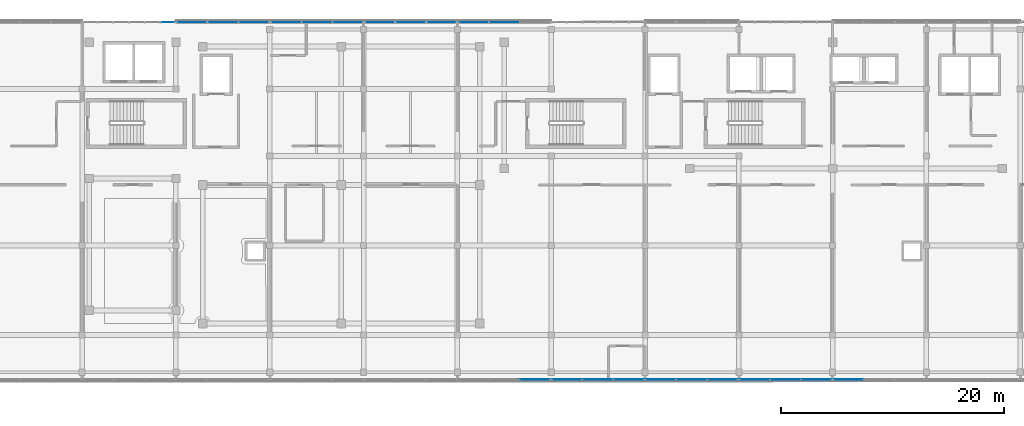
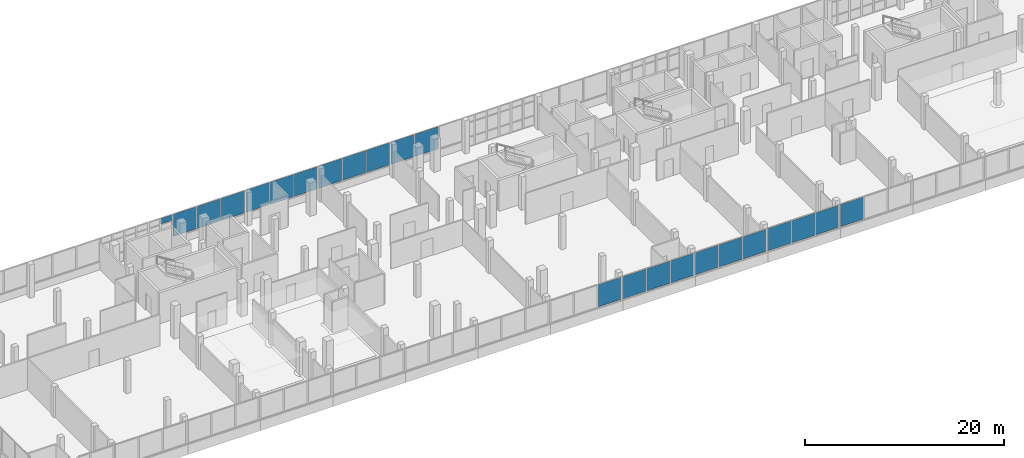
# One storey, part 51 of 66: 23 plates, 10 elements without a shape of their own.
"""IFC4 building model written with IfcOpenShell, lengths in metres."""

from ifc_helpers import new_model, si_unit, direction, frame, origin, origin_2d, place, context, subcontext, project, spatial, rectangle, extrude, material, layer, layer_set, type_object, element, aggregate, save


model = new_model("IFC4")

# Units and contexts
model_context = context("Model", 3, precision=1e-05, world=origin(), true_north=direction((0.0, 1.0)))
body_context = subcontext(model_context, "Body", "Model", "MODEL_VIEW")
ifc_project = project(units=[si_unit("LENGTHUNIT", "METRE"), si_unit("AREAUNIT", "SQUARE_METRE"), si_unit("VOLUMEUNIT", "CUBIC_METRE"), si_unit("PLANEANGLEUNIT", "RADIAN"), si_unit("MASSUNIT", "GRAM", prefix="KILO")], contexts=[model_context])

# Site, building, storey
site_placement = place(None, origin())
site = spatial("IfcSite", under=ifc_project, at=site_placement, CompositionType="ELEMENT")
building_placement = place(site_placement, origin())
building = spatial("IfcBuilding", under=site, at=building_placement, Name="Selatvlak General Hospital", CompositionType="ELEMENT")
storey_placement = place(building_placement, frame((0.0, 0.0, 31.35009765625)))
storey = spatial("IfcBuildingStorey", under=building, at=storey_placement, Name="L07", CompositionType="ELEMENT", Elevation=31.35009765625)

# Curtain wall, plate
ifc_material = material(Name="Solar-control Low-E double glazing", Category="glass")
curtain_wall_type_1 = type_object("IfcCurtainWallType", Name="CW-CW-04", PredefinedType="USERDEFINED", material=ifc_material)
curtain_wall_1_placement = place(storey_placement, origin())
curtain_wall_1 = element("IfcCurtainWall", 1, at=curtain_wall_1_placement, inside=storey, type_object=curtain_wall_type_1, Name="Glazed facade curtain wall CW-L07-0646", ObjectType="STICK GLAZING WALL", PredefinedType="USERDEFINED")
ifc_layer = layer(ifc_material, 0.028076171875, Name="Solar-control Low-E double glazing", Category="glass")
ifc_layer_set = layer_set([ifc_layer], Name="Solar-control Low-E double glazing")
plate_type = type_object("IfcPlateType", Name="CWP-01", PredefinedType="CURTAIN_PANEL", material=ifc_layer_set)
plate_1_placement = place(storey_placement, frame((55.671142578125, 119.9990234375, 3.017578125), z_axis=(0.0, 0.0, 1.0), x_axis=(1.0, 0.0, 0.0)))
plate_1 = element("IfcPlate", 2, at=plate_1_placement, type_object=plate_type, Name="CW-04 panel 6.3", PredefinedType="CURTAIN_PANEL", context=body_context, shape_type="SweptSolid", body=[
    extrude(rectangle(XDim=1.297607421875, YDim=0.028076171875, at=origin_2d()), origin(), (0.0, 0.0, 1.0), 0.702392578125),
])
aggregate(curtain_wall_1, [plate_1])

# Curtain wall, plates
curtain_wall_type_2 = type_object("IfcCurtainWallType", Name="CW-CW-01", PredefinedType="USERDEFINED", material=ifc_material)
curtain_wall_2_placement = place(storey_placement, origin())
curtain_wall_2 = element("IfcCurtainWall", 3, at=curtain_wall_2_placement, inside=storey, type_object=curtain_wall_type_2, Name="Glazed facade curtain wall CW-L07-0647", ObjectType="UNITISED CURTAIN WALL", PredefinedType="USERDEFINED")
plate_2_placement = place(storey_placement, frame((57.826171875, 119.9990234375, 1.0048828125), z_axis=(0.0, 0.0, 1.0), x_axis=(1.0, 0.0, 0.0)))
plate_2 = element("IfcPlate", 4, at=plate_2_placement, type_object=plate_type, Name="CW-01 panel 1.1", PredefinedType="CURTAIN_PANEL", context=body_context, shape_type="SweptSolid", body=[
    extrude(rectangle(XDim=2.6923828125, YDim=0.028076171875, at=origin_2d()), origin(), (0.0, 0.0, 1.0), 2.715087890625),
])
plate_3_placement = place(storey_placement, frame((60.60009765625, 119.9990234375, 1.0048828125), z_axis=(0.0, 0.0, 1.0), x_axis=(1.0, 0.0, 0.0)))
plate_3 = element("IfcPlate", 5, at=plate_3_placement, type_object=plate_type, Name="CW-01 panel 2.1", PredefinedType="CURTAIN_PANEL", context=body_context, shape_type="SweptSolid", body=[
    extrude(rectangle(XDim=2.72509765625, YDim=0.028076171875, at=origin_2d()), origin(), (0.0, 0.0, 1.0), 2.715087890625),
])
plate_4_placement = place(storey_placement, frame((63.373779296875, 119.9990234375, 1.0048828125), z_axis=(0.0, 0.0, 1.0), x_axis=(1.0, 0.0, 0.0)))
plate_4 = element("IfcPlate", 6, at=plate_4_placement, type_object=plate_type, Name="CW-01 panel 3.1", PredefinedType="CURTAIN_PANEL", context=body_context, shape_type="SweptSolid", body=[
    extrude(rectangle(XDim=2.6923828125, YDim=0.028076171875, at=origin_2d()), origin(), (0.0, 0.0, 1.0), 2.715087890625),
])
aggregate(curtain_wall_2, [plate_2, plate_3, plate_4])

curtain_wall_type_3 = type_object("IfcCurtainWallType", Name="CW-CW-02", PredefinedType="USERDEFINED", material=ifc_material)
curtain_wall_3_placement = place(storey_placement, origin())
curtain_wall_3 = element("IfcCurtainWall", 7, at=curtain_wall_3_placement, inside=storey, type_object=curtain_wall_type_3, Name="Glazed facade curtain wall CW-L07-0648", ObjectType="UNITISED CURTAIN WALL", PredefinedType="USERDEFINED")
plate_5_placement = place(storey_placement, frame((66.267822265625, 119.9990234375, 1.0048828125), z_axis=(0.0, 0.0, 1.0), x_axis=(1.0, 0.0, 0.0)))
plate_5 = element("IfcPlate", 8, at=plate_5_placement, type_object=plate_type, Name="CW-02 panel 1.1", PredefinedType="CURTAIN_PANEL", context=body_context, shape_type="SweptSolid", body=[
    extrude(rectangle(XDim=2.67578125, YDim=0.028076171875, at=origin_2d()), origin(), (0.0, 0.0, 1.0), 2.715087890625),
])
plate_6_placement = place(storey_placement, frame((69.02490234375, 119.9990234375, 1.0048828125), z_axis=(0.0, 0.0, 1.0), x_axis=(1.0, 0.0, 0.0)))
plate_6 = element("IfcPlate", 9, at=plate_6_placement, type_object=plate_type, Name="CW-02 panel 2.1", PredefinedType="CURTAIN_PANEL", context=body_context, shape_type="SweptSolid", body=[
    extrude(rectangle(XDim=2.708251953125, YDim=0.028076171875, at=origin_2d()), origin(), (0.0, 0.0, 1.0), 2.715087890625),
])
plate_7_placement = place(storey_placement, frame((71.781982421875, 119.9990234375, 1.0048828125), z_axis=(0.0, 0.0, 1.0), x_axis=(1.0, 0.0, 0.0)))
plate_7 = element("IfcPlate", 10, at=plate_7_placement, type_object=plate_type, Name="CW-02 panel 3.1", PredefinedType="CURTAIN_PANEL", context=body_context, shape_type="SweptSolid", body=[
    extrude(rectangle(XDim=2.67578125, YDim=0.028076171875, at=origin_2d()), origin(), (0.0, 0.0, 1.0), 2.715087890625),
])
aggregate(curtain_wall_3, [plate_5, plate_6, plate_7])

curtain_wall_4_placement = place(storey_placement, origin())
curtain_wall_4 = element("IfcCurtainWall", 11, at=curtain_wall_4_placement, inside=storey, type_object=curtain_wall_type_2, Name="Glazed facade curtain wall CW-L07-0649", ObjectType="UNITISED CURTAIN WALL", PredefinedType="USERDEFINED")
plate_8_placement = place(storey_placement, frame((74.66796875, 119.9990234375, 1.0048828125), z_axis=(0.0, 0.0, 1.0), x_axis=(1.0, 0.0, 0.0)))
plate_8 = element("IfcPlate", 12, at=plate_8_placement, type_object=plate_type, Name="CW-01 panel 1.1", PredefinedType="CURTAIN_PANEL", context=body_context, shape_type="SweptSolid", body=[
    extrude(rectangle(XDim=2.67578125, YDim=0.028076171875, at=origin_2d()), origin(), (0.0, 0.0, 1.0), 2.715087890625),
])
plate_9_placement = place(storey_placement, frame((77.425048828125, 119.9990234375, 1.0048828125), z_axis=(0.0, 0.0, 1.0), x_axis=(1.0, 0.0, 0.0)))
plate_9 = element("IfcPlate", 13, at=plate_9_placement, type_object=plate_type, Name="CW-01 panel 2.1", PredefinedType="CURTAIN_PANEL", context=body_context, shape_type="SweptSolid", body=[
    extrude(rectangle(XDim=2.708251953125, YDim=0.028076171875, at=origin_2d()), origin(), (0.0, 0.0, 1.0), 2.715087890625),
])
plate_10_placement = place(storey_placement, frame((80.18212890625, 119.9990234375, 1.0048828125), z_axis=(0.0, 0.0, 1.0), x_axis=(1.0, 0.0, 0.0)))
plate_10 = element("IfcPlate", 14, at=plate_10_placement, type_object=plate_type, Name="CW-01 panel 3.1", PredefinedType="CURTAIN_PANEL", context=body_context, shape_type="SweptSolid", body=[
    extrude(rectangle(XDim=2.67578125, YDim=0.028076171875, at=origin_2d()), origin(), (0.0, 0.0, 1.0), 2.715087890625),
])
aggregate(curtain_wall_4, [plate_8, plate_9, plate_10])

curtain_wall_5_placement = place(storey_placement, origin())
curtain_wall_5 = element("IfcCurtainWall", 15, at=curtain_wall_5_placement, inside=storey, type_object=curtain_wall_type_3, Name="Glazed facade curtain wall CW-L07-0650", ObjectType="UNITISED CURTAIN WALL", PredefinedType="USERDEFINED")
plate_11_placement = place(storey_placement, frame((83.06787109375, 119.9990234375, 1.0048828125), z_axis=(0.0, 0.0, 1.0), x_axis=(1.0, 0.0, 0.0)))
plate_11 = element("IfcPlate", 16, at=plate_11_placement, type_object=plate_type, Name="CW-02 panel 1.1", PredefinedType="CURTAIN_PANEL", context=body_context, shape_type="SweptSolid", body=[
    extrude(rectangle(XDim=2.67578125, YDim=0.028076171875, at=origin_2d()), origin(), (0.0, 0.0, 1.0), 2.715087890625),
])
plate_12_placement = place(storey_placement, frame((85.824951171875, 119.9990234375, 1.0048828125), z_axis=(0.0, 0.0, 1.0), x_axis=(1.0, 0.0, 0.0)))
plate_12 = element("IfcPlate", 17, at=plate_12_placement, type_object=plate_type, Name="CW-02 panel 2.1", PredefinedType="CURTAIN_PANEL", context=body_context, shape_type="SweptSolid", body=[
    extrude(rectangle(XDim=2.708251953125, YDim=0.028076171875, at=origin_2d()), origin(), (0.0, 0.0, 1.0), 2.715087890625),
])
aggregate(curtain_wall_5, [plate_11, plate_12])

# Curtain wall, plate
curtain_wall_6_placement = place(storey_placement, origin())
curtain_wall_6 = element("IfcCurtainWall", 18, at=curtain_wall_6_placement, inside=storey, type_object=curtain_wall_type_3, Name="Glazed facade curtain wall CW-L07-0668", ObjectType="UNITISED CURTAIN WALL", PredefinedType="USERDEFINED")
plate_13_placement = place(storey_placement, frame((116.617919921875, 88.0009765625, 1.0048828125), z_axis=(0.0, 0.0, 1.0), x_axis=(-1.0, 0.0, 0.0)))
plate_13 = element("IfcPlate", 19, at=plate_13_placement, type_object=plate_type, Name="CW-02 panel 3.1", PredefinedType="CURTAIN_PANEL", context=body_context, shape_type="SweptSolid", body=[
    extrude(rectangle(XDim=2.67578125, YDim=0.028076171875, at=origin_2d()), origin(), (0.0, 0.0, 1.0), 2.715087890625),
])
aggregate(curtain_wall_6, [plate_13])

# Curtain wall, plates
curtain_wall_7_placement = place(storey_placement, origin())
curtain_wall_7 = element("IfcCurtainWall", 20, at=curtain_wall_7_placement, inside=storey, type_object=curtain_wall_type_2, Name="Glazed facade curtain wall CW-L07-0669", ObjectType="UNITISED CURTAIN WALL", PredefinedType="USERDEFINED")
plate_14_placement = place(storey_placement, frame((113.732177734375, 88.0009765625, 1.0048828125), z_axis=(0.0, 0.0, 1.0), x_axis=(-1.0, 0.0, 0.0)))
plate_14 = element("IfcPlate", 21, at=plate_14_placement, type_object=plate_type, Name="CW-01 panel 1.1", PredefinedType="CURTAIN_PANEL", context=body_context, shape_type="SweptSolid", body=[
    extrude(rectangle(XDim=2.67578125, YDim=0.028076171875, at=origin_2d()), origin(), (0.0, 0.0, 1.0), 2.715087890625),
])
plate_15_placement = place(storey_placement, frame((110.97509765625, 88.0009765625, 1.0048828125), z_axis=(0.0, 0.0, 1.0), x_axis=(-1.0, 0.0, 0.0)))
plate_15 = element("IfcPlate", 22, at=plate_15_placement, type_object=plate_type, Name="CW-01 panel 2.1", PredefinedType="CURTAIN_PANEL", context=body_context, shape_type="SweptSolid", body=[
    extrude(rectangle(XDim=2.708251953125, YDim=0.028076171875, at=origin_2d()), origin(), (0.0, 0.0, 1.0), 2.715087890625),
])
plate_16_placement = place(storey_placement, frame((108.218017578125, 88.0009765625, 1.0048828125), z_axis=(0.0, 0.0, 1.0), x_axis=(-1.0, 0.0, 0.0)))
plate_16 = element("IfcPlate", 23, at=plate_16_placement, type_object=plate_type, Name="CW-01 panel 3.1", PredefinedType="CURTAIN_PANEL", context=body_context, shape_type="SweptSolid", body=[
    extrude(rectangle(XDim=2.67578125, YDim=0.028076171875, at=origin_2d()), origin(), (0.0, 0.0, 1.0), 2.715087890625),
])
aggregate(curtain_wall_7, [plate_14, plate_15, plate_16])

curtain_wall_8_placement = place(storey_placement, origin())
curtain_wall_8 = element("IfcCurtainWall", 24, at=curtain_wall_8_placement, inside=storey, type_object=curtain_wall_type_3, Name="Glazed facade curtain wall CW-L07-0670", ObjectType="UNITISED CURTAIN WALL", PredefinedType="USERDEFINED")
plate_17_placement = place(storey_placement, frame((105.33203125, 88.0009765625, 1.0048828125), z_axis=(0.0, 0.0, 1.0), x_axis=(-1.0, 0.0, 0.0)))
plate_17 = element("IfcPlate", 25, at=plate_17_placement, type_object=plate_type, Name="CW-02 panel 1.1", PredefinedType="CURTAIN_PANEL", context=body_context, shape_type="SweptSolid", body=[
    extrude(rectangle(XDim=2.67578125, YDim=0.028076171875, at=origin_2d()), origin(), (0.0, 0.0, 1.0), 2.715087890625),
])
plate_18_placement = place(storey_placement, frame((102.574951171875, 88.0009765625, 1.0048828125), z_axis=(0.0, 0.0, 1.0), x_axis=(-1.0, 0.0, 0.0)))
plate_18 = element("IfcPlate", 26, at=plate_18_placement, type_object=plate_type, Name="CW-02 panel 2.1", PredefinedType="CURTAIN_PANEL", context=body_context, shape_type="SweptSolid", body=[
    extrude(rectangle(XDim=2.708251953125, YDim=0.028076171875, at=origin_2d()), origin(), (0.0, 0.0, 1.0), 2.715087890625),
])
plate_19_placement = place(storey_placement, frame((99.81787109375, 88.0009765625, 1.0048828125), z_axis=(0.0, 0.0, 1.0), x_axis=(-1.0, 0.0, 0.0)))
plate_19 = element("IfcPlate", 27, at=plate_19_placement, type_object=plate_type, Name="CW-02 panel 3.1", PredefinedType="CURTAIN_PANEL", context=body_context, shape_type="SweptSolid", body=[
    extrude(rectangle(XDim=2.67578125, YDim=0.028076171875, at=origin_2d()), origin(), (0.0, 0.0, 1.0), 2.715087890625),
])
aggregate(curtain_wall_8, [plate_17, plate_18, plate_19])

curtain_wall_9_placement = place(storey_placement, origin())
curtain_wall_9 = element("IfcCurtainWall", 28, at=curtain_wall_9_placement, inside=storey, type_object=curtain_wall_type_2, Name="Glazed facade curtain wall CW-L07-0671", ObjectType="UNITISED CURTAIN WALL", PredefinedType="USERDEFINED")
plate_20_placement = place(storey_placement, frame((96.93212890625, 88.000732421875, 1.0048828125), z_axis=(0.0, 0.0, 1.0), x_axis=(-0.999999992777, -0.000120192308, 0.0)))
plate_20 = element("IfcPlate", 29, at=plate_20_placement, type_object=plate_type, Name="CW-01 panel 1.1", PredefinedType="CURTAIN_PANEL", context=body_context, shape_type="SweptSolid", body=[
    extrude(rectangle(XDim=2.67578125, YDim=0.028076171875, at=origin_2d()), origin(), (0.0, 0.0, 1.0), 2.715087890625),
])
plate_21_placement = place(storey_placement, frame((94.175048828125, 88.00048828125, 1.0048828125), z_axis=(0.0, 0.0, 1.0), x_axis=(-0.999999992777, -0.000120192308, 0.0)))
plate_21 = element("IfcPlate", 30, at=plate_21_placement, type_object=plate_type, Name="CW-01 panel 2.1", PredefinedType="CURTAIN_PANEL", context=body_context, shape_type="SweptSolid", body=[
    extrude(rectangle(XDim=2.708251953125, YDim=0.028076171875, at=origin_2d()), origin(), (0.0, 0.0, 1.0), 2.715087890625),
])
plate_22_placement = place(storey_placement, frame((91.41796875, 88.000244140625, 1.0048828125), z_axis=(0.0, 0.0, 1.0), x_axis=(-0.999999992777, -0.000120192308, 0.0)))
plate_22 = element("IfcPlate", 31, at=plate_22_placement, type_object=plate_type, Name="CW-01 panel 3.1", PredefinedType="CURTAIN_PANEL", context=body_context, shape_type="SweptSolid", body=[
    extrude(rectangle(XDim=2.67578125, YDim=0.028076171875, at=origin_2d()), origin(), (0.0, 0.0, 1.0), 2.715087890625),
])
aggregate(curtain_wall_9, [plate_20, plate_21, plate_22])

# Curtain wall, plate
curtain_wall_10_placement = place(storey_placement, origin())
curtain_wall_10 = element("IfcCurtainWall", 32, at=curtain_wall_10_placement, inside=storey, type_object=curtain_wall_type_3, Name="Glazed facade curtain wall CW-L07-0672", ObjectType="UNITISED CURTAIN WALL", PredefinedType="USERDEFINED")
plate_23_placement = place(storey_placement, frame((88.531982421875, 88.0, 1.0048828125), z_axis=(0.0, 0.0, 1.0), x_axis=(-1.0, 0.0, 0.0)))
plate_23 = element("IfcPlate", 33, at=plate_23_placement, type_object=plate_type, Name="CW-02 panel 1.1", PredefinedType="CURTAIN_PANEL", context=body_context, shape_type="SweptSolid", body=[
    extrude(rectangle(XDim=2.67578125, YDim=0.028076171875, at=origin_2d()), origin(), (0.0, 0.0, 1.0), 2.715087890625),
])
aggregate(curtain_wall_10, [plate_23])

save(model, "model.ifc")
